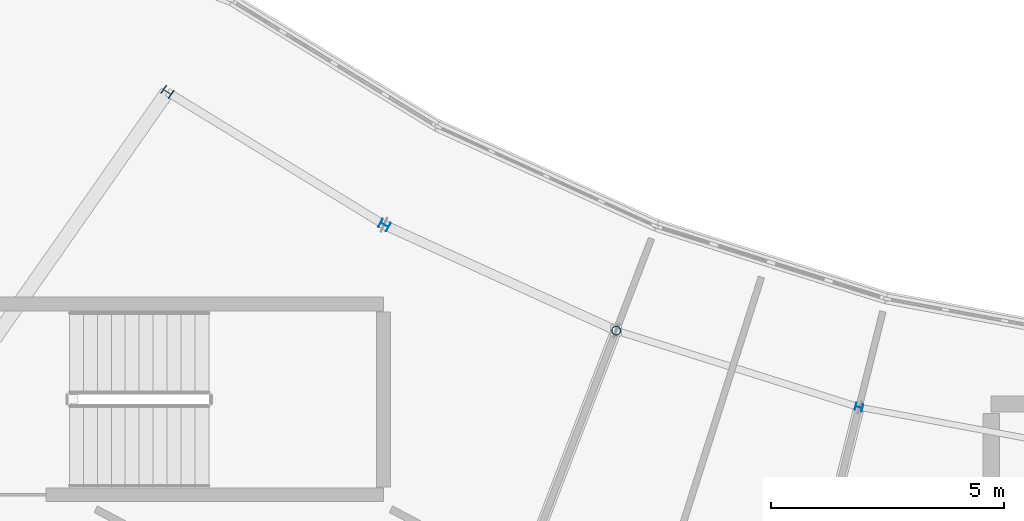
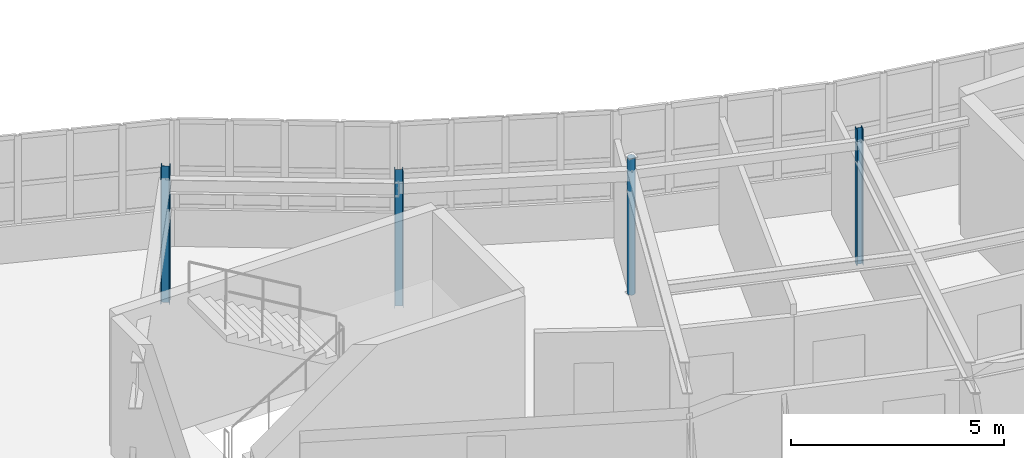
# One storey, part 2 of 65: 4 columns.
"""IFC4 building model written with IfcOpenShell, lengths in metres."""

from ifc_helpers import new_model, si_unit, direction, frame, origin, origin_2d, place, context, subcontext, project, spatial, hollow_circle, i_section, extrude, material, material_profile, profile_set, type_object, element, save


model = new_model("IFC4")

# Units and contexts
model_context = context("Model", 3, precision=1e-05, world=origin(), true_north=direction((0.0, 1.0)))
body_context = subcontext(model_context, "Body", "Model", "MODEL_VIEW")
ifc_project = project(units=[si_unit("LENGTHUNIT", "METRE"), si_unit("AREAUNIT", "SQUARE_METRE"), si_unit("VOLUMEUNIT", "CUBIC_METRE"), si_unit("PLANEANGLEUNIT", "RADIAN"), si_unit("MASSUNIT", "GRAM", prefix="KILO")], contexts=[model_context])

# Site, building, storey
site_placement = place(None, origin())
site = spatial("IfcSite", under=ifc_project, at=site_placement, CompositionType="ELEMENT")
building_placement = place(site_placement, origin())
building = spatial("IfcBuilding", under=site, at=building_placement, Name="Tarnwether General Hospital", CompositionType="ELEMENT")
storey_placement = place(building_placement, frame((0.0, 0.0, 22.199951171875)))
storey = spatial("IfcBuildingStorey", under=building, at=storey_placement, Name="L05", CompositionType="ELEMENT", Elevation=22.199951171875)

# Columns
ifc_material_1 = material(Name="Steel Grade 350 (350 MPa)", Category="steel")
ifc_material_profile_1 = material_profile(ifc_material_1, i_section(OverallWidth=0.205078125, OverallDepth=0.2099609375, WebThickness=0.00927734375, FlangeThickness=0.01416015625, at=origin_2d()), Name="200UC59.5")
ifc_profile_set_1 = profile_set([ifc_material_profile_1], Name="Steel Grade 350 (350 MPa)")
column_type_1 = type_object("IfcColumnType", Name="COL-25", PredefinedType="COLUMN", material=ifc_profile_set_1)
column_1_placement = place(storey_placement, frame((66.303955078125, 26.302001953125, 0.0), z_axis=(0.0, 0.0, 1.0), x_axis=(0.573576436351, 0.819152044289, 0.0)))
element("IfcColumn", 1, at=column_1_placement, inside=storey, type_object=column_type_1, Name="Column COLG-L05-6630_2630", PredefinedType="COLUMN", context=body_context, shape_type="SweptSolid", body=[
    extrude(i_section(OverallWidth=0.205078125, OverallDepth=0.2099609375, WebThickness=0.00927734375, FlangeThickness=0.01416015625, at=origin_2d()), origin(), (0.0, 0.0, 1.0), 3.900146484375),
])
ifc_material_2 = material(Name="Steel Grade 350 (350 MPa)", Category="steel")
ifc_material_profile_2 = material_profile(ifc_material_2, i_section(OverallWidth=0.202880859375, OverallDepth=0.202880859375, WebThickness=0.00732421875, FlangeThickness=0.010986328125, at=origin_2d()), Name="200UC46.2")
ifc_profile_set_2 = profile_set([ifc_material_profile_2], Name="Steel Grade 350 (350 MPa)")
column_type_2 = type_object("IfcColumnType", Name="COL-27", PredefinedType="COLUMN", material=ifc_profile_set_2)
column_2_placement = place(storey_placement, frame((70.968017578125, 23.444091796875, 0.0), z_axis=(0.0, 0.0, 1.0), x_axis=(0.469471562786, 0.882947592859, 0.0)))
element("IfcColumn", 2, at=column_2_placement, inside=storey, type_object=column_type_2, Name="Column COLG-L05-7097_2344", PredefinedType="COLUMN", context=body_context, shape_type="SweptSolid", body=[
    extrude(i_section(OverallWidth=0.202880859375, OverallDepth=0.202880859375, WebThickness=0.00732421875, FlangeThickness=0.010986328125, at=origin_2d()), origin(), (0.0, 0.0, 1.0), 3.900146484375),
])
ifc_material_3 = material(Name="Steel Grade C350L0 (350 MPa)", Category="steel")
ifc_material_profile_3 = material_profile(ifc_material_3, hollow_circle(Radius=0.096923828125, WallThickness=0.008056640625, at=origin_2d()), Name="CHS193.7x8.0")
ifc_profile_set_3 = profile_set([ifc_material_profile_3], Name="Steel Grade C350L0 (350 MPa)")
column_type_3 = type_object("IfcColumnType", Name="COL-29", PredefinedType="COLUMN", material=ifc_profile_set_3)
column_3_placement = place(storey_placement, frame((75.945068359375, 21.176025390625, 0.0), z_axis=(0.0, 0.0, 1.0), x_axis=(0.358367949545, 0.933580426497, 0.0)))
element("IfcColumn", 3, at=column_3_placement, inside=storey, type_object=column_type_3, Name="Column COLG-L05-7594_2118", PredefinedType="COLUMN", context=body_context, shape_type="SweptSolid", body=[
    extrude(hollow_circle(Radius=0.096923828125, WallThickness=0.008056640625, at=origin_2d()), origin(), (0.0, 0.0, 1.0), 3.900146484375),
])
ifc_material_4 = material(Name="Steel Grade 350 (350 MPa)", Category="steel")
ifc_material_profile_4 = material_profile(ifc_material_4, i_section(OverallWidth=0.153076171875, OverallDepth=0.157958984375, WebThickness=0.006591796875, FlangeThickness=0.009521484375, at=origin_2d()), Name="150UC30.0")
ifc_profile_set_4 = profile_set([ifc_material_profile_4], Name="Steel Grade 350 (350 MPa)")
column_type_4 = type_object("IfcColumnType", Name="COL-31", PredefinedType="COLUMN", material=ifc_profile_set_4)
column_4_placement = place(storey_placement, frame((81.162109375, 19.531005859375, 0.0), z_axis=(0.0, 0.0, 1.0), x_axis=(0.2419218956, 0.970295726276, 0.0)))
element("IfcColumn", 4, at=column_4_placement, inside=storey, type_object=column_type_4, Name="Column COLG-L05-8116_1953", PredefinedType="COLUMN", context=body_context, shape_type="SweptSolid", body=[
    extrude(i_section(OverallWidth=0.153076171875, OverallDepth=0.157958984375, WebThickness=0.006591796875, FlangeThickness=0.009521484375, at=origin_2d()), origin(), (0.0, 0.0, 1.0), 3.900146484375),
])

save(model, "model.ifc")
